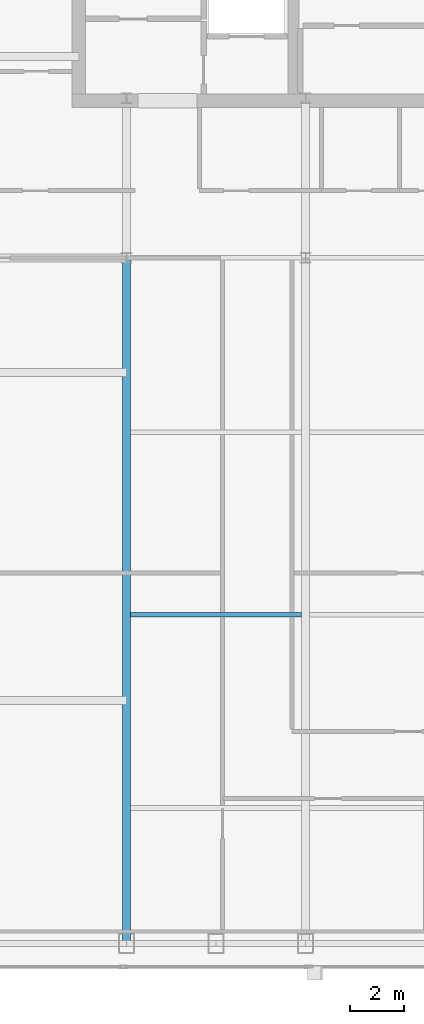
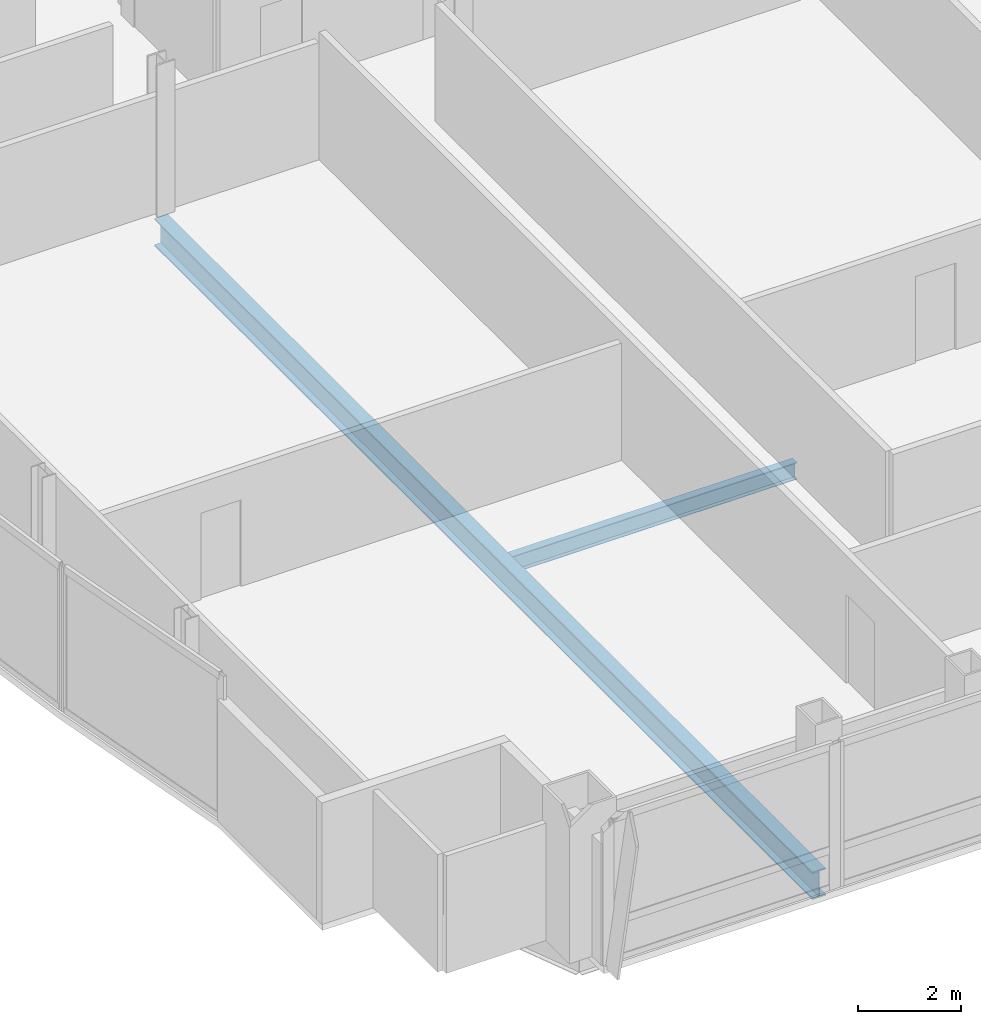
# One storey, part 7 of 30: 2 beams.
"""IFC4 building model written with IfcOpenShell, lengths in metres."""

from ifc_helpers import new_model, si_unit, direction, frame, origin, origin_2d, place, context, subcontext, project, spatial, i_section, extrude, material, material_profile, profile_set, type_object, element, save


model = new_model("IFC4")

# Units and contexts
model_context = context("Model", 3, precision=1e-05, world=origin(), true_north=direction((0.0, 1.0)))
body_context = subcontext(model_context, "Body", "Model", "MODEL_VIEW")
ifc_project = project(units=[si_unit("LENGTHUNIT", "METRE"), si_unit("AREAUNIT", "SQUARE_METRE"), si_unit("VOLUMEUNIT", "CUBIC_METRE"), si_unit("PLANEANGLEUNIT", "RADIAN"), si_unit("MASSUNIT", "GRAM", prefix="KILO")], contexts=[model_context])

# Site, building, storey
site_placement = place(None, origin())
site = spatial("IfcSite", under=ifc_project, at=site_placement, CompositionType="ELEMENT")
building_placement = place(site_placement, origin())
building = spatial("IfcBuilding", under=site, at=building_placement, Name="Khoronbel Lancet Exchange", CompositionType="ELEMENT")
storey_placement = place(building_placement, frame((0.0, 0.0, 277.0)))
storey = spatial("IfcBuildingStorey", under=building, at=storey_placement, Name="L71", CompositionType="ELEMENT", Elevation=277.0)

# Beams
ifc_material = material(Name="Steel S355", Category="steel")
ifc_material_profile_1 = material_profile(ifc_material, i_section(OverallWidth=0.300048828125, OverallDepth=0.64990234375, WebThickness=0.01611328125, FlangeThickness=0.031005859375, at=origin_2d()), Name="HEB 650")
ifc_profile_set_1 = profile_set([ifc_material_profile_1], Name="Steel S355")
beam_type_1 = type_object("IfcBeamType", Name="BM-BG4", PredefinedType="BEAM", material=ifc_profile_set_1)
beam_1_placement = place(storey_placement, frame((18.22509765625, 10.14990234375, -0.485107421875), z_axis=(0.0, 1.0, 0.0), x_axis=(-1.0, 0.0, 0.0)))
element("IfcBeam", 1, at=beam_1_placement, inside=storey, type_object=beam_type_1, Name="Level L71 south primary girder GS1", PredefinedType="BEAM", context=body_context, shape_type="SweptSolid", body=[
    extrude(i_section(OverallWidth=0.300048828125, OverallDepth=0.64990234375, WebThickness=0.01611328125, FlangeThickness=0.031005859375, at=origin_2d()), origin(), (0.0, 0.0, 1.0), 25.550048828125),
])
ifc_material_profile_2 = material_profile(ifc_material, i_section(OverallWidth=0.179931640625, OverallDepth=0.39990234375, WebThickness=0.008544921875, FlangeThickness=0.013427734375, at=origin_2d()), Name="IPE 400")
ifc_profile_set_2 = profile_set([ifc_material_profile_2], Name="Steel S355")
beam_type_2 = type_object("IfcBeamType", Name="BM-BJ5", PredefinedType="JOIST", material=ifc_profile_set_2)
beam_2_placement = place(storey_placement, frame((18.375, 22.39990234375, -0.360107421875), z_axis=(1.0, 0.0, 0.0), x_axis=(0.0, 1.0, 0.0)))
element("IfcBeam", 2, at=beam_2_placement, inside=storey, type_object=beam_type_2, Name="Level L71 secondary composite joist J06", PredefinedType="JOIST", context=body_context, shape_type="SweptSolid", body=[
    extrude(i_section(OverallWidth=0.179931640625, OverallDepth=0.39990234375, WebThickness=0.008544921875, FlangeThickness=0.013427734375, at=origin_2d()), origin(), (0.0, 0.0, 1.0), 6.375),
])

save(model, "model.ifc")
